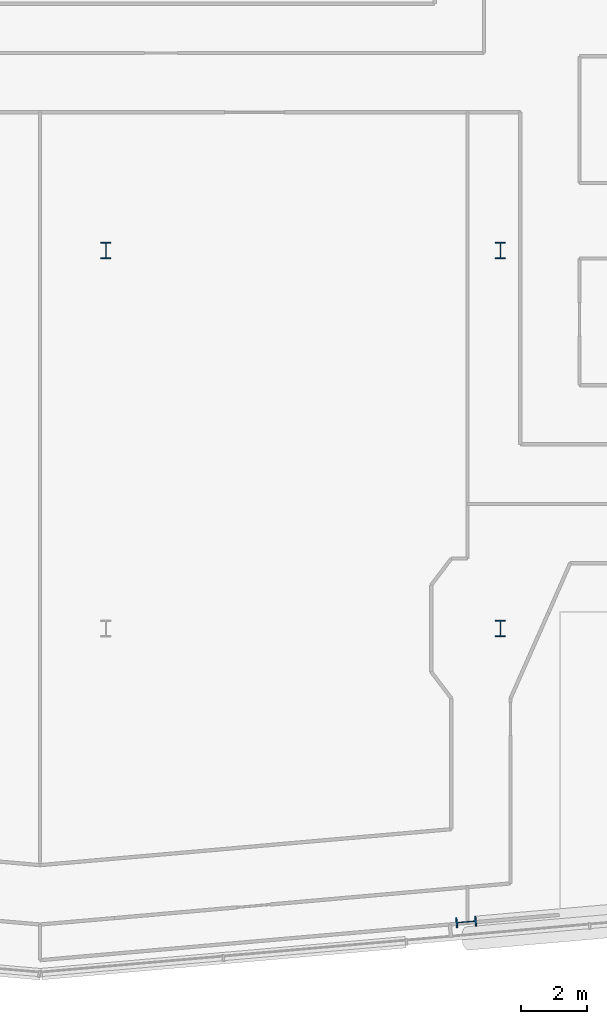
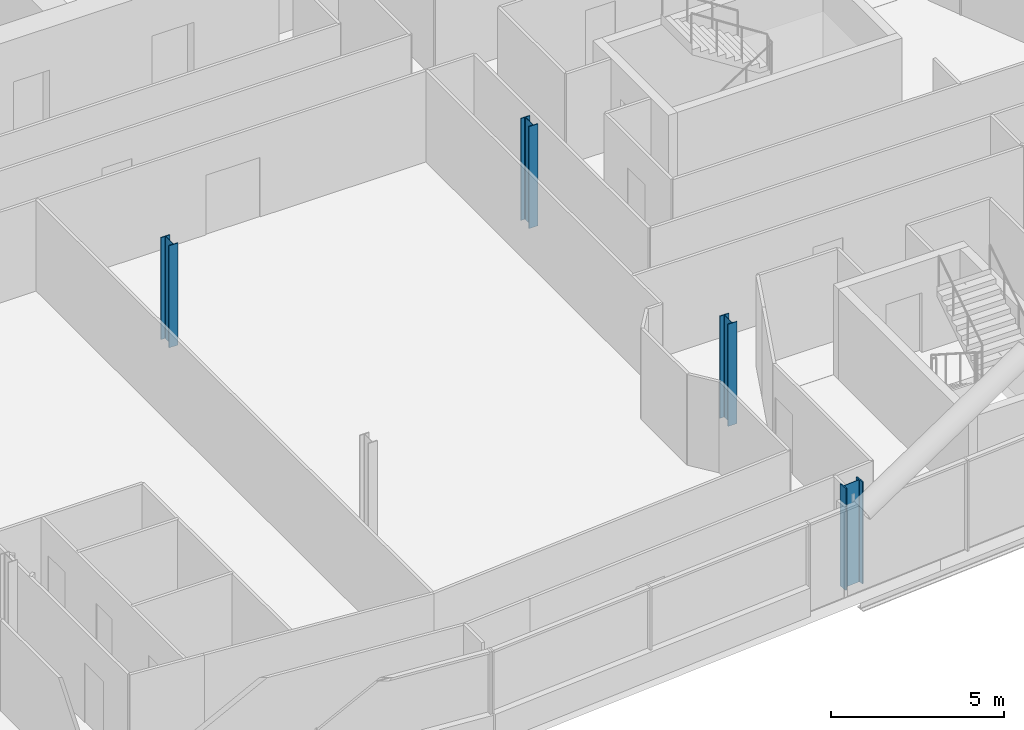
# One storey, part 2 of 27: 4 columns.
"""IFC4 building model written with IfcOpenShell, lengths in metres."""

from ifc_helpers import new_model, si_unit, direction, frame, origin, origin_2d, place, context, subcontext, project, spatial, i_section, extrude, material, material_profile, profile_set, type_object, element, save


model = new_model("IFC4")

# Units and contexts
model_context = context("Model", 3, precision=1e-05, world=origin(), true_north=direction((0.0, 1.0)))
body_context = subcontext(model_context, "Body", "Model", "MODEL_VIEW")
ifc_project = project(units=[si_unit("LENGTHUNIT", "METRE"), si_unit("AREAUNIT", "SQUARE_METRE"), si_unit("VOLUMEUNIT", "CUBIC_METRE"), si_unit("PLANEANGLEUNIT", "RADIAN"), si_unit("MASSUNIT", "GRAM", prefix="KILO")], contexts=[model_context])

# Site, building, storey
site_placement = place(None, origin())
site = spatial("IfcSite", under=ifc_project, at=site_placement, CompositionType="ELEMENT")
building_placement = place(site_placement, origin())
building = spatial("IfcBuilding", under=site, at=building_placement, Name="Wharfspan Tower", CompositionType="ELEMENT")
storey_placement = place(building_placement, frame((0.0, 0.0, 191.5)))
storey = spatial("IfcBuildingStorey", under=building, at=storey_placement, Name="L47", CompositionType="ELEMENT", Elevation=191.5)

# Columns
ifc_material = material(Name="Steel S355J2", Category="steel")
ifc_material_profile_1 = material_profile(ifc_material, i_section(OverallWidth=0.300049, OverallDepth=0.5, WebThickness=0.014404, FlangeThickness=0.028076, FilletRadius=0.0271, at=origin_2d()))
ifc_profile_set_1 = profile_set([ifc_material_profile_1], Name="Steel S355J2")
column_type_1 = type_object("IfcColumnType", Name="Column HEB 500", PredefinedType="COLUMN", material=ifc_profile_set_1)
for number, where, z_axis, x_axis, name in (
    (1, (60.0, 11.5, 0.0), (0.0, 0.0, 1.0), (1.0, 0.0, 0.0), "Interior column I.1.4 L47"),
    (2, (48.0, 23.0, 0.0), (0.0, 0.0, 1.0), (1.0, 0.0, 0.0), "Interior column I.2.3 L47"),
    (3, (60.0, 23.0, 0.0), (0.0, 0.0, 1.0), (1.0, 0.0, 0.0), "Interior column I.2.4 L47"),
):
    element("IfcColumn", number, at=place(storey_placement, frame(where, z_axis=z_axis, x_axis=x_axis)), inside=storey, type_object=column_type_1, Name=name, PredefinedType="COLUMN", context=body_context, shape_type="SweptSolid", body=[
        extrude(i_section(OverallWidth=0.300049, OverallDepth=0.5, WebThickness=0.014404, FlangeThickness=0.028076, FilletRadius=0.0271, at=origin_2d()), origin(), (0.0, 0.0, 1.0), 3.600098),
    ])
ifc_material_profile_2 = material_profile(ifc_material, i_section(OverallWidth=0.304932, OverallDepth=0.620117, WebThickness=0.020996, FlangeThickness=0.040039, FilletRadius=0.0271, at=origin_2d()))
ifc_profile_set_2 = profile_set([ifc_material_profile_2], Name="Steel S355J2")
column_type_2 = type_object("IfcColumnType", Name="Column HEM 600", PredefinedType="COLUMN", material=ifc_profile_set_2)
column_placement = place(storey_placement, frame((58.960693, 2.573486, 0.0), z_axis=(0.0, 0.0, 1.0), x_axis=(0.087156, -0.996198, 0.0)))
element("IfcColumn", 4, at=column_placement, inside=storey, type_object=column_type_2, Name="Perimeter column PS2.1 L47", PredefinedType="COLUMN", context=body_context, shape_type="SweptSolid", body=[
    extrude(i_section(OverallWidth=0.304932, OverallDepth=0.620117, WebThickness=0.020996, FlangeThickness=0.040039, FilletRadius=0.0271, at=origin_2d()), origin(), (0.0, 0.0, 1.0), 3.600098),
])

save(model, "model.ifc")
